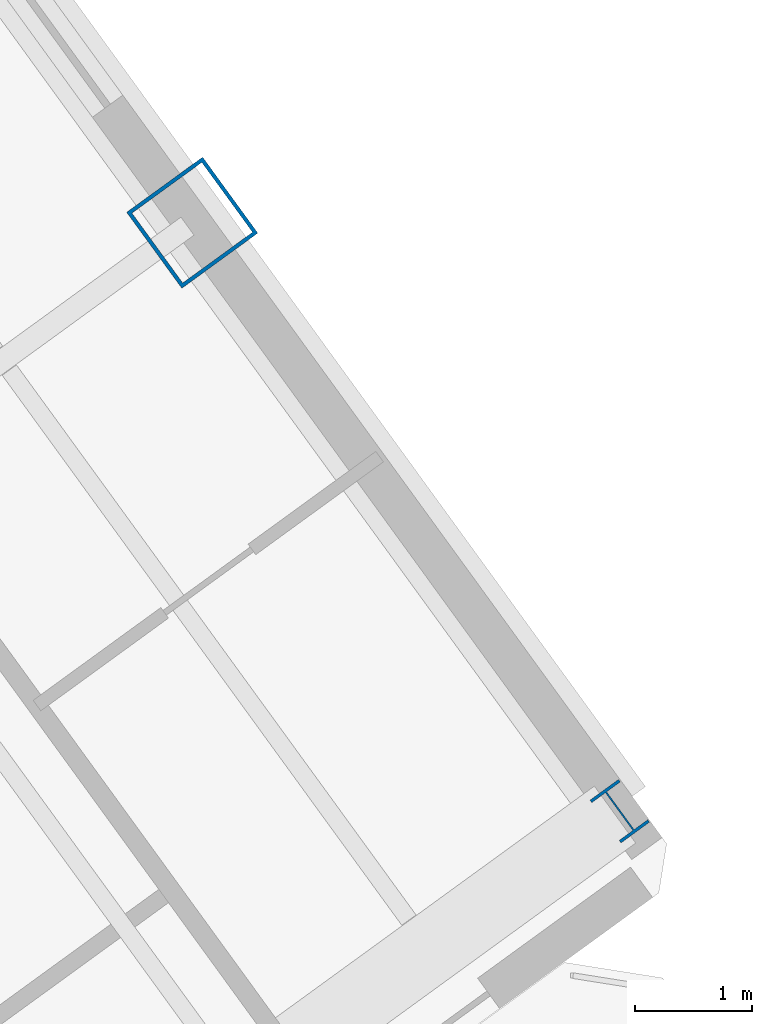
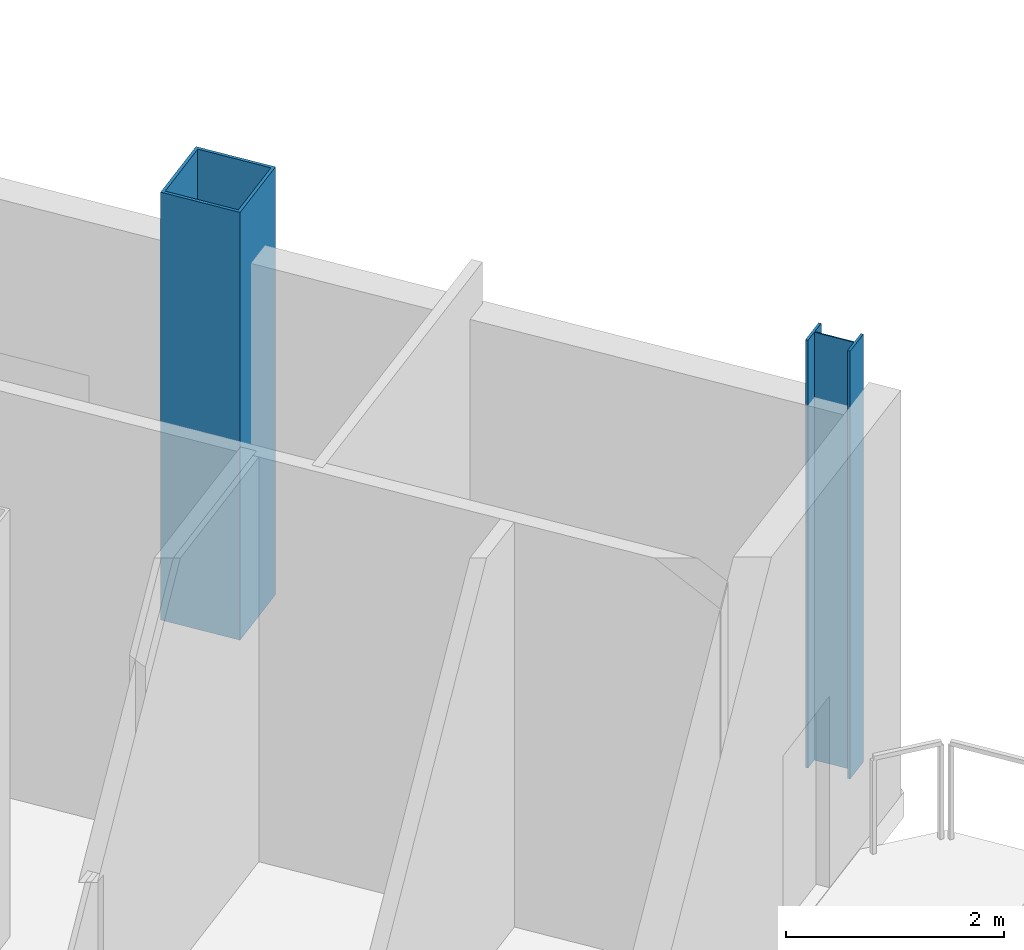
# One storey, part 4 of 26: 2 columns.
"""IFC4 building model written with IfcOpenShell, lengths in metres."""

from ifc_helpers import new_model, si_unit, direction, frame, origin, origin_2d, place, context, subcontext, project, spatial, hollow_rectangle, i_section, extrude, source, transform, mapped, material, material_profile, profile_set, type_object, element, save


model = new_model("IFC4")

# Units and contexts
model_context = context("Model", 3, precision=1e-05, world=origin(), true_north=direction((0.0, 1.0)))
body_context = subcontext(model_context, "Body", "Model", "MODEL_VIEW")
ifc_project = project(units=[si_unit("LENGTHUNIT", "METRE"), si_unit("AREAUNIT", "SQUARE_METRE"), si_unit("VOLUMEUNIT", "CUBIC_METRE"), si_unit("PLANEANGLEUNIT", "RADIAN"), si_unit("MASSUNIT", "GRAM", prefix="KILO")], contexts=[model_context])

# Site, building, storey
site_placement = place(None, origin())
site = spatial("IfcSite", under=ifc_project, at=site_placement, CompositionType="ELEMENT")
building_placement = place(site_placement, origin())
building = spatial("IfcBuilding", under=site, at=building_placement, Name="Tlacorven Tower", CompositionType="ELEMENT")
storey_placement = place(building_placement, frame((0.0, 0.0, 233.699951171875)))
storey = spatial("IfcBuildingStorey", under=building, at=storey_placement, Name="L59", CompositionType="ELEMENT", Elevation=233.699951171875)

# Columns
ifc_material_1 = material(Name="Steel S460M", Category="steel")
ifc_material_profile_1 = material_profile(ifc_material_1, hollow_rectangle(XDim=0.800048828125, YDim=0.800048828125, WallThickness=0.031982421875, at=origin_2d()), Name="BOX 800X800X32")
ifc_profile_set_1 = profile_set([ifc_material_profile_1], Name="Steel S460M")
column_type_1 = type_object("IfcColumnType", Name="COL-TWR-S3", PredefinedType="COLUMN", material=ifc_profile_set_1)
shared_shape_1 = source(origin(), body_context, "Body", "SweptSolid", [
    extrude(hollow_rectangle(XDim=0.800048828125, YDim=0.800048828125, WallThickness=0.031982421875, at=origin_2d()), origin(), (0.0, 0.0, 1.0), 4.800048828125),
])
column_1_placement = place(storey_placement, frame((67.267822265625, 23.353515625, 0.0), z_axis=(0.0, 0.0, 1.0), x_axis=(0.809016994375, 0.587785252292, 0.0)))
element("IfcColumn", 1, at=column_1_placement, inside=storey, type_object=column_type_1, Name="L59 column COL-L59-E4-2", PredefinedType="COLUMN", context=body_context, shape_type="MappedRepresentation", body=[
    mapped(shared_shape_1, transform((0.0, 0.0, 0.0), scale=1.0)),
])
ifc_material_2 = material(Name="Steel S355J2", Category="steel")
ifc_material_profile_2 = material_profile(ifc_material_2, i_section(OverallWidth=0.300048828125, OverallDepth=0.449951171875, WebThickness=0.013916015625, FlangeThickness=0.02587890625, at=origin_2d()), Name="HEB 450")
ifc_profile_set_2 = profile_set([ifc_material_profile_2], Name="Steel S355J2")
column_type_2 = type_object("IfcColumnType", Name="COL-TWR-P3", PredefinedType="COLUMN", material=ifc_profile_set_2)
shared_shape_2 = source(origin(), body_context, "Body", "SweptSolid", [
    extrude(i_section(OverallWidth=0.300048828125, OverallDepth=0.449951171875, WebThickness=0.013916015625, FlangeThickness=0.02587890625, at=origin_2d()), origin(), (0.0, 0.0, 1.0), 4.800048828125),
])
column_2_placement = place(storey_placement, frame((70.911865234375, 18.337646484375, 0.0), z_axis=(0.0, 0.0, 1.0), x_axis=(0.809016994375, 0.587785252292, 0.0)))
element("IfcColumn", 2, at=column_2_placement, inside=storey, type_object=column_type_2, Name="L59 column COL-L59-E4-1", PredefinedType="COLUMN", context=body_context, shape_type="MappedRepresentation", body=[
    mapped(shared_shape_2, transform((0.0, 0.0, 0.0), scale=1.0)),
])

save(model, "model.ifc")
